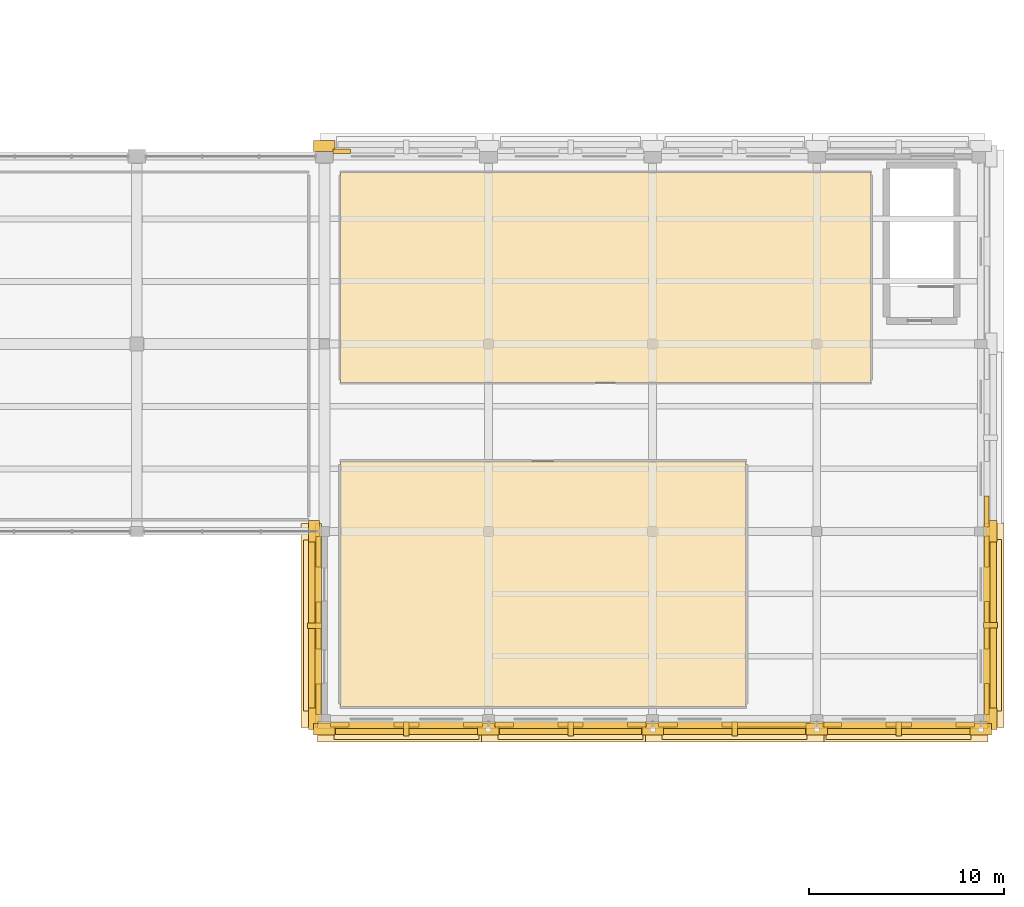
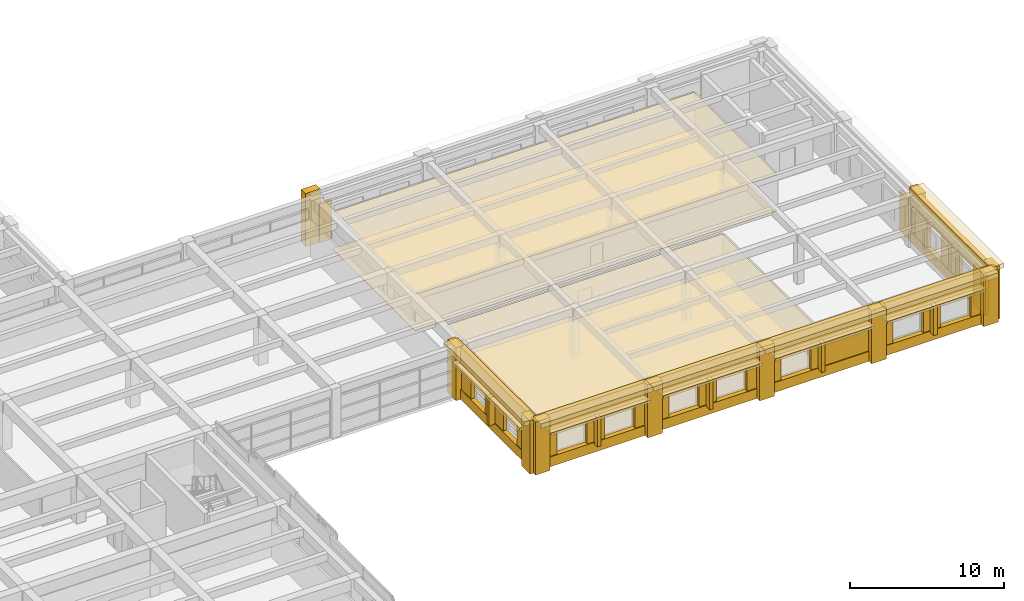
# One storey, part 61 of 62: 63 coverings, 6 shading devices.
"""IFC4 building model written with IfcOpenShell, lengths in metres."""

from ifc_helpers import new_model, si_unit, direction, frame, origin, origin_2d, place, context, subcontext, project, spatial, polyline, rectangle, outline, extrude, material, layer, layer_set, type_object, element, save


model = new_model("IFC4")

# Units and contexts
model_context = context("Model", 3, precision=1e-05, world=origin(), true_north=direction((0.0, 1.0)))
body_context = subcontext(model_context, "Body", "Model", "MODEL_VIEW")
ifc_project = project(units=[si_unit("LENGTHUNIT", "METRE"), si_unit("AREAUNIT", "SQUARE_METRE"), si_unit("VOLUMEUNIT", "CUBIC_METRE"), si_unit("PLANEANGLEUNIT", "RADIAN"), si_unit("MASSUNIT", "GRAM", prefix="KILO")], contexts=[model_context])

# Site, building, storey
site_placement = place(None, origin())
site = spatial("IfcSite", under=ifc_project, at=site_placement, CompositionType="ELEMENT")
building_placement = place(site_placement, origin())
building = spatial("IfcBuilding", under=site, at=building_placement, Name="Bempovik Park Faculty of Sciences", CompositionType="ELEMENT")
storey_placement = place(building_placement, frame((0.0, 0.0, 9.89990234375)))
storey = spatial("IfcBuildingStorey", under=building, at=storey_placement, Name="L02", CompositionType="ELEMENT", Elevation=9.89990234375)

# Coverings
ifc_material_1 = material(Name="Acoustic mineral ceiling tile")
ifc_layer_1 = layer(ifc_material_1, 0.0400390625)
ifc_layer_set_1 = layer_set([ifc_layer_1], Name="Acoustic mineral ceiling tile")
covering_type_1 = type_object("IfcCoveringType", Name="CE-01 Acoustic Ceiling 40mm", PredefinedType="CEILING", material=ifc_layer_set_1)
covering_1_placement = place(storey_placement, frame((0.0, 0.0, 2.880126953125)))
element("IfcCovering", 1, at=covering_1_placement, inside=storey, type_object=covering_type_1, Name="L02 East Wing Honours Seminar Room Acoustic Ceiling", PredefinedType="CEILING", context=body_context, shape_type="SweptSolid", body=[
    extrude(outline(polyline([(137.6298828125, 58.830078125), (158.3701171875, 58.830078125), (158.3701171875, 71.3701171875), (137.6298828125, 71.3701171875), (137.6298828125, 58.830078125)])), origin(), (0.0, 0.0, 1.0), 0.0400390625),
])
covering_2_placement = place(storey_placement, frame((0.0, 0.0, 2.880126953125)))
element("IfcCovering", 2, at=covering_2_placement, inside=storey, type_object=covering_type_1, Name="L02 Mathematics Departmental Staff Offices Acoustic Ceiling", PredefinedType="CEILING", context=body_context, shape_type="SweptSolid", body=[
    extrude(outline(polyline([(137.6298828125, 75.429931640625), (164.77001953125, 75.429931640625), (164.77001953125, 86.169921875), (137.6298828125, 86.169921875), (137.6298828125, 75.429931640625)])), origin(), (0.0, 0.0, 1.0), 0.0400390625),
])
ifc_material_2 = material(Name="Precast concrete C40/50", Category="concrete")
ifc_layer_2 = layer(ifc_material_2, 0.179931640625)
ifc_layer_set_2 = layer_set([ifc_layer_2], Name="Precast concrete C40/50")
covering_type_2 = type_object("IfcCoveringType", Name="CL-02 Classical Cornice Band 180mm", PredefinedType="CLADDING", material=ifc_layer_set_2)
covering_3_placement = place(storey_placement, frame((171.06494140625, 63.0, 3.83984375), z_axis=(0.0, 0.0, 1.0), x_axis=(1.0, 0.0, 0.0)))
element("IfcCovering", 3, at=covering_3_placement, inside=storey, type_object=covering_type_2, Name="L02 Classical Projecting Dentil Cornice EW-L02-7808", PredefinedType="CLADDING", context=body_context, shape_type="SweptSolid", body=[
    extrude(rectangle(XDim=1.050048828125, YDim=10.486083984375, at=origin_2d()), origin(), (0.0, 0.0, 1.0), 0.360107421875),
])
covering_4_placement = place(storey_placement, frame((171.0, 63.0, 2.91015625), z_axis=(0.0, 0.0, 1.0), x_axis=(1.0, 0.0, 0.0)))
element("IfcCovering", 4, at=covering_4_placement, inside=storey, type_object=covering_type_2, Name="L02 Classical Stone Solar Window Hood EW-L02-7808", PredefinedType="CLADDING", context=body_context, shape_type="SweptSolid", body=[
    extrude(rectangle(XDim=0.919921875, YDim=8.785888671875, at=origin_2d()), origin(), (0.0, 0.0, 1.0), 0.219970703125),
])
covering_5_placement = place(storey_placement, frame((141.0, 57.534912109375, 3.83984375), z_axis=(0.0, 0.0, 1.0), x_axis=(1.0, 0.0, 0.0)))
element("IfcCovering", 5, at=covering_5_placement, inside=storey, type_object=covering_type_2, Name="L02 Classical Projecting Dentil Cornice EW-L02-7842", PredefinedType="CLADDING", context=body_context, shape_type="SweptSolid", body=[
    extrude(rectangle(XDim=9.1259765625, YDim=1.050048828125, at=origin_2d()), origin(), (0.0, 0.0, 1.0), 0.360107421875),
])
covering_6_placement = place(storey_placement, frame((141.0, 57.60009765625, 2.91015625), z_axis=(0.0, 0.0, 1.0), x_axis=(1.0, 0.0, 0.0)))
element("IfcCovering", 6, at=covering_6_placement, inside=storey, type_object=covering_type_2, Name="L02 Classical Stone Solar Window Hood EW-L02-7842", PredefinedType="CLADDING", context=body_context, shape_type="SweptSolid", body=[
    extrude(rectangle(XDim=7.426025390625, YDim=0.919921875, at=origin_2d()), origin(), (0.0, 0.0, 1.0), 0.219970703125),
])
covering_7_placement = place(storey_placement, frame((149.39990234375, 57.534912109375, 3.83984375), z_axis=(0.0, 0.0, 1.0), x_axis=(1.0, 0.0, 0.0)))
element("IfcCovering", 7, at=covering_7_placement, inside=storey, type_object=covering_type_2, Name="L02 Classical Projecting Dentil Cornice EW-L02-7856", PredefinedType="CLADDING", context=body_context, shape_type="SweptSolid", body=[
    extrude(rectangle(XDim=9.1259765625, YDim=1.050048828125, at=origin_2d()), origin(), (0.0, 0.0, 1.0), 0.360107421875),
])
covering_8_placement = place(storey_placement, frame((149.39990234375, 57.60009765625, 2.91015625), z_axis=(0.0, 0.0, 1.0), x_axis=(1.0, 0.0, 0.0)))
element("IfcCovering", 8, at=covering_8_placement, inside=storey, type_object=covering_type_2, Name="L02 Classical Stone Solar Window Hood EW-L02-7856", PredefinedType="CLADDING", context=body_context, shape_type="SweptSolid", body=[
    extrude(rectangle(XDim=7.426025390625, YDim=0.919921875, at=origin_2d()), origin(), (0.0, 0.0, 1.0), 0.219970703125),
])
covering_9_placement = place(storey_placement, frame((157.800048828125, 57.534912109375, 3.83984375), z_axis=(0.0, 0.0, 1.0), x_axis=(1.0, 0.0, 0.0)))
element("IfcCovering", 9, at=covering_9_placement, inside=storey, type_object=covering_type_2, Name="L02 Classical Projecting Dentil Cornice EW-L02-7869", PredefinedType="CLADDING", context=body_context, shape_type="SweptSolid", body=[
    extrude(rectangle(XDim=9.1259765625, YDim=1.050048828125, at=origin_2d()), origin(), (0.0, 0.0, 1.0), 0.360107421875),
])
covering_10_placement = place(storey_placement, frame((157.800048828125, 57.60009765625, 2.91015625), z_axis=(0.0, 0.0, 1.0), x_axis=(1.0, 0.0, 0.0)))
element("IfcCovering", 10, at=covering_10_placement, inside=storey, type_object=covering_type_2, Name="L02 Classical Stone Solar Window Hood EW-L02-7869", PredefinedType="CLADDING", context=body_context, shape_type="SweptSolid", body=[
    extrude(rectangle(XDim=7.426025390625, YDim=0.919921875, at=origin_2d()), origin(), (0.0, 0.0, 1.0), 0.219970703125),
])
covering_11_placement = place(storey_placement, frame((166.199951171875, 57.534912109375, 3.83984375), z_axis=(0.0, 0.0, 1.0), x_axis=(1.0, 0.0, 0.0)))
element("IfcCovering", 11, at=covering_11_placement, inside=storey, type_object=covering_type_2, Name="L02 Classical Projecting Dentil Cornice EW-L02-7880", PredefinedType="CLADDING", context=body_context, shape_type="SweptSolid", body=[
    extrude(rectangle(XDim=9.1259765625, YDim=1.050048828125, at=origin_2d()), origin(), (0.0, 0.0, 1.0), 0.360107421875),
])
covering_12_placement = place(storey_placement, frame((166.199951171875, 57.60009765625, 2.91015625), z_axis=(0.0, 0.0, 1.0), x_axis=(1.0, 0.0, 0.0)))
element("IfcCovering", 12, at=covering_12_placement, inside=storey, type_object=covering_type_2, Name="L02 Classical Stone Solar Window Hood EW-L02-7880", PredefinedType="CLADDING", context=body_context, shape_type="SweptSolid", body=[
    extrude(rectangle(XDim=7.426025390625, YDim=0.919921875, at=origin_2d()), origin(), (0.0, 0.0, 1.0), 0.219970703125),
])
covering_13_placement = place(storey_placement, frame((136.135009765625, 62.985107421875, 3.83984375), z_axis=(0.0, 0.0, 1.0), x_axis=(1.0, 0.0, 0.0)))
element("IfcCovering", 13, at=covering_13_placement, inside=storey, type_object=covering_type_2, Name="L02 Classical Projecting Dentil Cornice EW-L02-7893", PredefinedType="CLADDING", context=body_context, shape_type="SweptSolid", body=[
    extrude(rectangle(XDim=1.050048828125, YDim=10.4560546875, at=origin_2d()), origin(), (0.0, 0.0, 1.0), 0.360107421875),
])
covering_14_placement = place(storey_placement, frame((136.199951171875, 62.985107421875, 2.91015625), z_axis=(0.0, 0.0, 1.0), x_axis=(1.0, 0.0, 0.0)))
element("IfcCovering", 14, at=covering_14_placement, inside=storey, type_object=covering_type_2, Name="L02 Classical Stone Solar Window Hood EW-L02-7893", PredefinedType="CLADDING", context=body_context, shape_type="SweptSolid", body=[
    extrude(rectangle(XDim=0.919921875, YDim=8.756103515625, at=origin_2d()), origin(), (0.0, 0.0, 1.0), 0.219970703125),
])
ifc_material_3 = material(Name="White reconstituted limestone precast C40/50", Category="masonry")
ifc_layer_3 = layer(ifc_material_3, 0.239990234375)
ifc_layer_set_3 = layer_set([ifc_layer_3], Name="White reconstituted limestone precast C40/50")
covering_type_3 = type_object("IfcCoveringType", Name="CL-03 Classical Fluted Limestone Pilaster 240mm", PredefinedType="CLADDING", material=ifc_layer_set_3)
covering_15_placement = place(storey_placement, frame((136.800048828125, 87.530029296875, 0.0), z_axis=(0.0, 0.0, 1.0), x_axis=(1.0, 0.0, 0.0)))
element("IfcCovering", 15, at=covering_15_placement, inside=storey, type_object=covering_type_3, Name="L02 Classical Fluted Stone Pilaster PIL-BA-L02-1368-875", PredefinedType="CLADDING", context=body_context, shape_type="SweptSolid", body=[
    extrude(rectangle(XDim=1.10009765625, YDim=0.580078125, at=origin_2d()), origin(), (0.0, 0.0, 1.0), 4.199951171875),
])
covering_16_placement = place(storey_placement, frame((137.694091796875, 87.27001953125, 0.0), z_axis=(0.0, 0.0, 1.0), x_axis=(1.0, 0.0, 0.0)))
element("IfcCovering", 16, at=covering_16_placement, inside=storey, type_object=covering_type_3, Name="L02 White Limestone Wall Cheek EW-L02-7757-0", PredefinedType="CLADDING", context=body_context, shape_type="SweptSolid", body=[
    extrude(rectangle(XDim=0.8837890625, YDim=0.239990234375, at=origin_2d()), origin(), (0.0, 0.0, 1.0), 3.080078125),
])
covering_17_placement = place(storey_placement, frame((170.7099609375, 63.0, 2.919921875), z_axis=(0.0, 0.0, 1.0), x_axis=(1.0, 0.0, 0.0)))
element("IfcCovering", 17, at=covering_17_placement, inside=storey, type_object=covering_type_3, Name="L02 Classical Limestone Spandrel Entablature EW-L02-7808", PredefinedType="CLADDING", context=body_context, shape_type="SweptSolid", body=[
    extrude(rectangle(XDim=0.340087890625, YDim=10.486083984375, at=origin_2d()), origin(), (0.0, 0.0, 1.0), 1.280029296875),
])
covering_18_placement = place(storey_placement, frame((170.7099609375, 63.0, 0.0), z_axis=(0.0, 0.0, 1.0), x_axis=(1.0, 0.0, 0.0)))
element("IfcCovering", 18, at=covering_18_placement, inside=storey, type_object=covering_type_3, Name="L02 Classical Limestone Sill Dado EW-L02-7808", PredefinedType="CLADDING", context=body_context, shape_type="SweptSolid", body=[
    extrude(rectangle(XDim=0.340087890625, YDim=10.486083984375, at=origin_2d()), origin(), (0.0, 0.0, 1.0), 0.780029296875),
])
for number, where, z_axis, x_axis, name in (
    (19, (170.929931640625, 58.199951171875, 0.0), (0.0, 0.0, 1.0), (1.0, 0.0, 0.0), "L02 Classical Fluted Stone Pilaster PIL-BA-L02-1709-582"),
    (20, (170.929931640625, 67.800048828125, 0.0), (0.0, 0.0, 1.0), (1.0, 0.0, 0.0), "L02 Classical Fluted Stone Pilaster PIL-BA-L02-1709-678"),
):
    element("IfcCovering", number, at=place(storey_placement, frame(where, z_axis=z_axis, x_axis=x_axis)), inside=storey, type_object=covering_type_3, Name=name, PredefinedType="CLADDING", context=body_context, shape_type="SweptSolid", body=[
        extrude(rectangle(XDim=0.580078125, YDim=1.10009765625, at=origin_2d()), origin(), (0.0, 0.0, 1.0), 4.199951171875),
    ])
covering_19_placement = place(storey_placement, frame((170.699951171875, 59.220458984375, 0.0), z_axis=(0.0, 0.0, 1.0), x_axis=(1.0, 0.0, 0.0)))
element("IfcCovering", 21, at=covering_19_placement, inside=storey, type_object=covering_type_3, Name="L02 White Limestone Wall Cheek EW-L02-7808-0", PredefinedType="CLADDING", context=body_context, shape_type="SweptSolid", body=[
    extrude(rectangle(XDim=0.239990234375, YDim=1.57666015625, at=origin_2d()), origin(), (0.0, 0.0, 1.0), 3.080078125),
])
covering_20_placement = place(storey_placement, frame((170.699951171875, 63.0, 0.0), z_axis=(0.0, 0.0, 1.0), x_axis=(1.0, 0.0, 0.0)))
element("IfcCovering", 22, at=covering_20_placement, inside=storey, type_object=covering_type_3, Name="L02 White Limestone Wall Cheek EW-L02-7808-2", PredefinedType="CLADDING", context=body_context, shape_type="SweptSolid", body=[
    extrude(rectangle(XDim=0.239990234375, YDim=2.422607421875, at=origin_2d()), origin(), (0.0, 0.0, 1.0), 3.080078125),
])
covering_21_placement = place(storey_placement, frame((170.699951171875, 66.77978515625, 0.0), z_axis=(0.0, 0.0, 1.0), x_axis=(1.0, 0.0, 0.0)))
element("IfcCovering", 23, at=covering_21_placement, inside=storey, type_object=covering_type_3, Name="L02 White Limestone Wall Cheek EW-L02-7808-4", PredefinedType="CLADDING", context=body_context, shape_type="SweptSolid", body=[
    extrude(rectangle(XDim=0.239990234375, YDim=1.57666015625, at=origin_2d()), origin(), (0.0, 0.0, 1.0), 3.080078125),
])
covering_22_placement = place(storey_placement, frame((170.909912109375, 63.0, 0.7001953125), z_axis=(0.0, 0.0, 1.0), x_axis=(1.0, 0.0, 0.0)))
element("IfcCovering", 24, at=covering_22_placement, inside=storey, type_object=covering_type_3, Name="L02 Classical Vertical Stone Shading Fin EW-L02-7808", PredefinedType="CLADDING", context=body_context, shape_type="SweptSolid", body=[
    extrude(rectangle(XDim=0.719970703125, YDim=0.280029296875, at=origin_2d()), origin(), (0.0, 0.0, 1.0), 2.25),
])
covering_23_placement = place(storey_placement, frame((170.699951171875, 68.8203125, 0.0), z_axis=(0.0, 0.0, 1.0), x_axis=(1.0, 0.0, 0.0)))
element("IfcCovering", 25, at=covering_23_placement, inside=storey, type_object=covering_type_3, Name="L02 White Limestone Wall Cheek EW-L02-7822-0", PredefinedType="CLADDING", context=body_context, shape_type="SweptSolid", body=[
    extrude(rectangle(XDim=0.239990234375, YDim=1.57666015625, at=origin_2d()), origin(), (0.0, 0.0, 1.0), 3.080078125),
])
covering_24_placement = place(storey_placement, frame((141.0, 57.889892578125, 2.919921875), z_axis=(0.0, 0.0, 1.0), x_axis=(1.0, 0.0, 0.0)))
element("IfcCovering", 26, at=covering_24_placement, inside=storey, type_object=covering_type_3, Name="L02 Classical Limestone Spandrel Entablature EW-L02-7842", PredefinedType="CLADDING", context=body_context, shape_type="SweptSolid", body=[
    extrude(rectangle(XDim=9.1259765625, YDim=0.340087890625, at=origin_2d()), origin(), (0.0, 0.0, 1.0), 1.280029296875),
])
covering_25_placement = place(storey_placement, frame((141.0, 57.889892578125, 0.0), z_axis=(0.0, 0.0, 1.0), x_axis=(1.0, 0.0, 0.0)))
element("IfcCovering", 27, at=covering_25_placement, inside=storey, type_object=covering_type_3, Name="L02 Classical Limestone Sill Dado EW-L02-7842", PredefinedType="CLADDING", context=body_context, shape_type="SweptSolid", body=[
    extrude(rectangle(XDim=9.1259765625, YDim=0.340087890625, at=origin_2d()), origin(), (0.0, 0.0, 1.0), 0.780029296875),
])
for number, where, z_axis, x_axis, name in (
    (28, (136.800048828125, 57.669921875, 0.0), (0.0, 0.0, 1.0), (1.0, 0.0, 0.0), "L02 Classical Fluted Stone Pilaster PIL-BA-L02-1368-577"),
    (29, (145.199951171875, 57.669921875, 0.0), (0.0, 0.0, 1.0), (1.0, 0.0, 0.0), "L02 Classical Fluted Stone Pilaster PIL-BA-L02-1452-577"),
):
    element("IfcCovering", number, at=place(storey_placement, frame(where, z_axis=z_axis, x_axis=x_axis)), inside=storey, type_object=covering_type_3, Name=name, PredefinedType="CLADDING", context=body_context, shape_type="SweptSolid", body=[
        extrude(rectangle(XDim=1.10009765625, YDim=0.580078125, at=origin_2d()), origin(), (0.0, 0.0, 1.0), 4.199951171875),
    ])
covering_26_placement = place(storey_placement, frame((137.591796875, 57.89990234375, 0.0), z_axis=(0.0, 0.0, 1.0), x_axis=(1.0, 0.0, 0.0)))
element("IfcCovering", 30, at=covering_26_placement, inside=storey, type_object=covering_type_3, Name="L02 White Limestone Wall Cheek EW-L02-7842-0", PredefinedType="CLADDING", context=body_context, shape_type="SweptSolid", body=[
    extrude(rectangle(XDim=0.95947265625, YDim=0.239990234375, at=origin_2d()), origin(), (0.0, 0.0, 1.0), 3.080078125),
])
covering_27_placement = place(storey_placement, frame((141.0, 57.89990234375, 0.0), z_axis=(0.0, 0.0, 1.0), x_axis=(1.0, 0.0, 0.0)))
element("IfcCovering", 31, at=covering_27_placement, inside=storey, type_object=covering_type_3, Name="L02 White Limestone Wall Cheek EW-L02-7842-2", PredefinedType="CLADDING", context=body_context, shape_type="SweptSolid", body=[
    extrude(rectangle(XDim=1.297119140625, YDim=0.239990234375, at=origin_2d()), origin(), (0.0, 0.0, 1.0), 3.080078125),
])
covering_28_placement = place(storey_placement, frame((144.408203125, 57.89990234375, 0.0), z_axis=(0.0, 0.0, 1.0), x_axis=(1.0, 0.0, 0.0)))
element("IfcCovering", 32, at=covering_28_placement, inside=storey, type_object=covering_type_3, Name="L02 White Limestone Wall Cheek EW-L02-7842-4", PredefinedType="CLADDING", context=body_context, shape_type="SweptSolid", body=[
    extrude(rectangle(XDim=0.95947265625, YDim=0.239990234375, at=origin_2d()), origin(), (0.0, 0.0, 1.0), 3.080078125),
])
covering_29_placement = place(storey_placement, frame((141.0, 57.68994140625, 0.64990234375), z_axis=(0.0, 0.0, 1.0), x_axis=(1.0, 0.0, 0.0)))
element("IfcCovering", 33, at=covering_29_placement, inside=storey, type_object=covering_type_3, Name="L02 Classical Vertical Stone Shading Fin EW-L02-7842", PredefinedType="CLADDING", context=body_context, shape_type="SweptSolid", body=[
    extrude(rectangle(XDim=0.280029296875, YDim=0.719970703125, at=origin_2d()), origin(), (0.0, 0.0, 1.0), 2.300048828125),
])
covering_30_placement = place(storey_placement, frame((149.39990234375, 57.889892578125, 2.919921875), z_axis=(0.0, 0.0, 1.0), x_axis=(1.0, 0.0, 0.0)))
element("IfcCovering", 34, at=covering_30_placement, inside=storey, type_object=covering_type_3, Name="L02 Classical Limestone Spandrel Entablature EW-L02-7856", PredefinedType="CLADDING", context=body_context, shape_type="SweptSolid", body=[
    extrude(rectangle(XDim=9.1259765625, YDim=0.340087890625, at=origin_2d()), origin(), (0.0, 0.0, 1.0), 1.280029296875),
])
covering_31_placement = place(storey_placement, frame((149.39990234375, 57.889892578125, 0.0), z_axis=(0.0, 0.0, 1.0), x_axis=(1.0, 0.0, 0.0)))
element("IfcCovering", 35, at=covering_31_placement, inside=storey, type_object=covering_type_3, Name="L02 Classical Limestone Sill Dado EW-L02-7856", PredefinedType="CLADDING", context=body_context, shape_type="SweptSolid", body=[
    extrude(rectangle(XDim=9.1259765625, YDim=0.340087890625, at=origin_2d()), origin(), (0.0, 0.0, 1.0), 0.780029296875),
])
covering_32_placement = place(storey_placement, frame((153.60009765625, 57.669921875, 0.0), z_axis=(0.0, 0.0, 1.0), x_axis=(1.0, 0.0, 0.0)))
element("IfcCovering", 36, at=covering_32_placement, inside=storey, type_object=covering_type_3, Name="L02 Classical Fluted Stone Pilaster PIL-BA-L02-1536-577", PredefinedType="CLADDING", context=body_context, shape_type="SweptSolid", body=[
    extrude(rectangle(XDim=1.10009765625, YDim=0.580078125, at=origin_2d()), origin(), (0.0, 0.0, 1.0), 4.199951171875),
])
covering_33_placement = place(storey_placement, frame((145.99169921875, 57.89990234375, 0.0), z_axis=(0.0, 0.0, 1.0), x_axis=(1.0, 0.0, 0.0)))
element("IfcCovering", 37, at=covering_33_placement, inside=storey, type_object=covering_type_3, Name="L02 White Limestone Wall Cheek EW-L02-7856-0", PredefinedType="CLADDING", context=body_context, shape_type="SweptSolid", body=[
    extrude(rectangle(XDim=0.95947265625, YDim=0.239990234375, at=origin_2d()), origin(), (0.0, 0.0, 1.0), 3.080078125),
])
covering_34_placement = place(storey_placement, frame((149.39990234375, 57.89990234375, 0.0), z_axis=(0.0, 0.0, 1.0), x_axis=(1.0, 0.0, 0.0)))
element("IfcCovering", 38, at=covering_34_placement, inside=storey, type_object=covering_type_3, Name="L02 White Limestone Wall Cheek EW-L02-7856-2", PredefinedType="CLADDING", context=body_context, shape_type="SweptSolid", body=[
    extrude(rectangle(XDim=1.297119140625, YDim=0.239990234375, at=origin_2d()), origin(), (0.0, 0.0, 1.0), 3.080078125),
])
covering_35_placement = place(storey_placement, frame((152.80810546875, 57.89990234375, 0.0), z_axis=(0.0, 0.0, 1.0), x_axis=(1.0, 0.0, 0.0)))
element("IfcCovering", 39, at=covering_35_placement, inside=storey, type_object=covering_type_3, Name="L02 White Limestone Wall Cheek EW-L02-7856-4", PredefinedType="CLADDING", context=body_context, shape_type="SweptSolid", body=[
    extrude(rectangle(XDim=0.95947265625, YDim=0.239990234375, at=origin_2d()), origin(), (0.0, 0.0, 1.0), 3.080078125),
])
covering_36_placement = place(storey_placement, frame((149.39990234375, 57.68994140625, 0.64990234375), z_axis=(0.0, 0.0, 1.0), x_axis=(1.0, 0.0, 0.0)))
element("IfcCovering", 40, at=covering_36_placement, inside=storey, type_object=covering_type_3, Name="L02 Classical Vertical Stone Shading Fin EW-L02-7856", PredefinedType="CLADDING", context=body_context, shape_type="SweptSolid", body=[
    extrude(rectangle(XDim=0.280029296875, YDim=0.719970703125, at=origin_2d()), origin(), (0.0, 0.0, 1.0), 2.300048828125),
])
covering_37_placement = place(storey_placement, frame((157.800048828125, 57.889892578125, 2.919921875), z_axis=(0.0, 0.0, 1.0), x_axis=(1.0, 0.0, 0.0)))
element("IfcCovering", 41, at=covering_37_placement, inside=storey, type_object=covering_type_3, Name="L02 Classical Limestone Spandrel Entablature EW-L02-7869", PredefinedType="CLADDING", context=body_context, shape_type="SweptSolid", body=[
    extrude(rectangle(XDim=9.1259765625, YDim=0.340087890625, at=origin_2d()), origin(), (0.0, 0.0, 1.0), 1.280029296875),
])
covering_38_placement = place(storey_placement, frame((157.800048828125, 57.889892578125, 0.0), z_axis=(0.0, 0.0, 1.0), x_axis=(1.0, 0.0, 0.0)))
element("IfcCovering", 42, at=covering_38_placement, inside=storey, type_object=covering_type_3, Name="L02 Classical Limestone Sill Dado EW-L02-7869", PredefinedType="CLADDING", context=body_context, shape_type="SweptSolid", body=[
    extrude(rectangle(XDim=9.1259765625, YDim=0.340087890625, at=origin_2d()), origin(), (0.0, 0.0, 1.0), 0.780029296875),
])
covering_39_placement = place(storey_placement, frame((162.0, 57.669921875, 0.0), z_axis=(0.0, 0.0, 1.0), x_axis=(1.0, 0.0, 0.0)))
element("IfcCovering", 43, at=covering_39_placement, inside=storey, type_object=covering_type_3, Name="L02 Classical Fluted Stone Pilaster PIL-BA-L02-1620-577", PredefinedType="CLADDING", context=body_context, shape_type="SweptSolid", body=[
    extrude(rectangle(XDim=1.10009765625, YDim=0.580078125, at=origin_2d()), origin(), (0.0, 0.0, 1.0), 4.199951171875),
])
covering_40_placement = place(storey_placement, frame((154.391845703125, 57.89990234375, 0.0), z_axis=(0.0, 0.0, 1.0), x_axis=(1.0, 0.0, 0.0)))
element("IfcCovering", 44, at=covering_40_placement, inside=storey, type_object=covering_type_3, Name="L02 White Limestone Wall Cheek EW-L02-7869-0", PredefinedType="CLADDING", context=body_context, shape_type="SweptSolid", body=[
    extrude(rectangle(XDim=0.95947265625, YDim=0.239990234375, at=origin_2d()), origin(), (0.0, 0.0, 1.0), 3.080078125),
])
covering_41_placement = place(storey_placement, frame((159.419677734375, 57.89990234375, 0.0), z_axis=(0.0, 0.0, 1.0), x_axis=(1.0, 0.0, 0.0)))
element("IfcCovering", 45, at=covering_41_placement, inside=storey, type_object=covering_type_3, Name="L02 White Limestone Wall Cheek EW-L02-7869-2", PredefinedType="CLADDING", context=body_context, shape_type="SweptSolid", body=[
    extrude(rectangle(XDim=4.53662109375, YDim=0.239990234375, at=origin_2d()), origin(), (0.0, 0.0, 1.0), 3.080078125),
])
covering_42_placement = place(storey_placement, frame((157.800048828125, 57.68994140625, 0.64990234375), z_axis=(0.0, 0.0, 1.0), x_axis=(1.0, 0.0, 0.0)))
element("IfcCovering", 46, at=covering_42_placement, inside=storey, type_object=covering_type_3, Name="L02 Classical Vertical Stone Shading Fin EW-L02-7869", PredefinedType="CLADDING", context=body_context, shape_type="SweptSolid", body=[
    extrude(rectangle(XDim=0.280029296875, YDim=0.719970703125, at=origin_2d()), origin(), (0.0, 0.0, 1.0), 2.300048828125),
])
covering_43_placement = place(storey_placement, frame((166.199951171875, 57.889892578125, 2.919921875), z_axis=(0.0, 0.0, 1.0), x_axis=(1.0, 0.0, 0.0)))
element("IfcCovering", 47, at=covering_43_placement, inside=storey, type_object=covering_type_3, Name="L02 Classical Limestone Spandrel Entablature EW-L02-7880", PredefinedType="CLADDING", context=body_context, shape_type="SweptSolid", body=[
    extrude(rectangle(XDim=9.1259765625, YDim=0.340087890625, at=origin_2d()), origin(), (0.0, 0.0, 1.0), 1.280029296875),
])
covering_44_placement = place(storey_placement, frame((166.199951171875, 57.889892578125, 0.0), z_axis=(0.0, 0.0, 1.0), x_axis=(1.0, 0.0, 0.0)))
element("IfcCovering", 48, at=covering_44_placement, inside=storey, type_object=covering_type_3, Name="L02 Classical Limestone Sill Dado EW-L02-7880", PredefinedType="CLADDING", context=body_context, shape_type="SweptSolid", body=[
    extrude(rectangle(XDim=9.1259765625, YDim=0.340087890625, at=origin_2d()), origin(), (0.0, 0.0, 1.0), 0.780029296875),
])
covering_45_placement = place(storey_placement, frame((170.39990234375, 57.669921875, 0.0), z_axis=(0.0, 0.0, 1.0), x_axis=(1.0, 0.0, 0.0)))
element("IfcCovering", 49, at=covering_45_placement, inside=storey, type_object=covering_type_3, Name="L02 Classical Fluted Stone Pilaster PIL-BA-L02-1704-577", PredefinedType="CLADDING", context=body_context, shape_type="SweptSolid", body=[
    extrude(rectangle(XDim=1.10009765625, YDim=0.580078125, at=origin_2d()), origin(), (0.0, 0.0, 1.0), 4.199951171875),
])
covering_46_placement = place(storey_placement, frame((162.791748046875, 57.89990234375, 0.0), z_axis=(0.0, 0.0, 1.0), x_axis=(1.0, 0.0, 0.0)))
element("IfcCovering", 50, at=covering_46_placement, inside=storey, type_object=covering_type_3, Name="L02 White Limestone Wall Cheek EW-L02-7880-0", PredefinedType="CLADDING", context=body_context, shape_type="SweptSolid", body=[
    extrude(rectangle(XDim=0.95947265625, YDim=0.239990234375, at=origin_2d()), origin(), (0.0, 0.0, 1.0), 3.080078125),
])
covering_47_placement = place(storey_placement, frame((166.199951171875, 57.89990234375, 0.0), z_axis=(0.0, 0.0, 1.0), x_axis=(1.0, 0.0, 0.0)))
element("IfcCovering", 51, at=covering_47_placement, inside=storey, type_object=covering_type_3, Name="L02 White Limestone Wall Cheek EW-L02-7880-2", PredefinedType="CLADDING", context=body_context, shape_type="SweptSolid", body=[
    extrude(rectangle(XDim=1.297119140625, YDim=0.239990234375, at=origin_2d()), origin(), (0.0, 0.0, 1.0), 3.080078125),
])
covering_48_placement = place(storey_placement, frame((169.608154296875, 57.89990234375, 0.0), z_axis=(0.0, 0.0, 1.0), x_axis=(1.0, 0.0, 0.0)))
element("IfcCovering", 52, at=covering_48_placement, inside=storey, type_object=covering_type_3, Name="L02 White Limestone Wall Cheek EW-L02-7880-4", PredefinedType="CLADDING", context=body_context, shape_type="SweptSolid", body=[
    extrude(rectangle(XDim=0.95947265625, YDim=0.239990234375, at=origin_2d()), origin(), (0.0, 0.0, 1.0), 3.080078125),
])
covering_49_placement = place(storey_placement, frame((166.199951171875, 57.68994140625, 0.64990234375), z_axis=(0.0, 0.0, 1.0), x_axis=(1.0, 0.0, 0.0)))
element("IfcCovering", 53, at=covering_49_placement, inside=storey, type_object=covering_type_3, Name="L02 Classical Vertical Stone Shading Fin EW-L02-7880", PredefinedType="CLADDING", context=body_context, shape_type="SweptSolid", body=[
    extrude(rectangle(XDim=0.280029296875, YDim=0.719970703125, at=origin_2d()), origin(), (0.0, 0.0, 1.0), 2.300048828125),
])
covering_50_placement = place(storey_placement, frame((136.489990234375, 62.985107421875, 2.919921875), z_axis=(0.0, 0.0, 1.0), x_axis=(1.0, 0.0, 0.0)))
element("IfcCovering", 54, at=covering_50_placement, inside=storey, type_object=covering_type_3, Name="L02 Classical Limestone Spandrel Entablature EW-L02-7893", PredefinedType="CLADDING", context=body_context, shape_type="SweptSolid", body=[
    extrude(rectangle(XDim=0.340087890625, YDim=10.4560546875, at=origin_2d()), origin(), (0.0, 0.0, 1.0), 1.280029296875),
])
covering_51_placement = place(storey_placement, frame((136.489990234375, 62.985107421875, 0.0), z_axis=(0.0, 0.0, 1.0), x_axis=(1.0, 0.0, 0.0)))
element("IfcCovering", 55, at=covering_51_placement, inside=storey, type_object=covering_type_3, Name="L02 Classical Limestone Sill Dado EW-L02-7893", PredefinedType="CLADDING", context=body_context, shape_type="SweptSolid", body=[
    extrude(rectangle(XDim=0.340087890625, YDim=10.4560546875, at=origin_2d()), origin(), (0.0, 0.0, 1.0), 0.780029296875),
])
for number, where, z_axis, x_axis, name in (
    (56, (136.27001953125, 58.199951171875, 0.0), (0.0, 0.0, 1.0), (1.0, 0.0, 0.0), "L02 Classical Fluted Stone Pilaster PIL-BA-L02-1363-582"),
    (57, (136.27001953125, 67.800048828125, 0.0), (0.0, 0.0, 1.0), (1.0, 0.0, 0.0), "L02 Classical Fluted Stone Pilaster PIL-BA-L02-1363-678"),
):
    element("IfcCovering", number, at=place(storey_placement, frame(where, z_axis=z_axis, x_axis=x_axis)), inside=storey, type_object=covering_type_3, Name=name, PredefinedType="CLADDING", context=body_context, shape_type="SweptSolid", body=[
        extrude(rectangle(XDim=0.580078125, YDim=1.10009765625, at=origin_2d()), origin(), (0.0, 0.0, 1.0), 4.199951171875),
    ])
covering_52_placement = place(storey_placement, frame((136.5, 59.21630859375, 0.0), z_axis=(0.0, 0.0, 1.0), x_axis=(1.0, 0.0, 0.0)))
element("IfcCovering", 58, at=covering_52_placement, inside=storey, type_object=covering_type_3, Name="L02 White Limestone Wall Cheek EW-L02-7893-0", PredefinedType="CLADDING", context=body_context, shape_type="SweptSolid", body=[
    extrude(rectangle(XDim=0.239990234375, YDim=1.568603515625, at=origin_2d()), origin(), (0.0, 0.0, 1.0), 3.080078125),
])
covering_53_placement = place(storey_placement, frame((136.5, 62.985107421875, 0.0), z_axis=(0.0, 0.0, 1.0), x_axis=(1.0, 0.0, 0.0)))
element("IfcCovering", 59, at=covering_53_placement, inside=storey, type_object=covering_type_3, Name="L02 White Limestone Wall Cheek EW-L02-7893-2", PredefinedType="CLADDING", context=body_context, shape_type="SweptSolid", body=[
    extrude(rectangle(XDim=0.239990234375, YDim=2.40869140625, at=origin_2d()), origin(), (0.0, 0.0, 1.0), 3.080078125),
])
covering_54_placement = place(storey_placement, frame((136.5, 66.753662109375, 0.0), z_axis=(0.0, 0.0, 1.0), x_axis=(1.0, 0.0, 0.0)))
element("IfcCovering", 60, at=covering_54_placement, inside=storey, type_object=covering_type_3, Name="L02 White Limestone Wall Cheek EW-L02-7893-4", PredefinedType="CLADDING", context=body_context, shape_type="SweptSolid", body=[
    extrude(rectangle(XDim=0.239990234375, YDim=1.568603515625, at=origin_2d()), origin(), (0.0, 0.0, 1.0), 3.080078125),
])
covering_55_placement = place(storey_placement, frame((136.2900390625, 62.985107421875, 0.7001953125), z_axis=(0.0, 0.0, 1.0), x_axis=(1.0, 0.0, 0.0)))
element("IfcCovering", 61, at=covering_55_placement, inside=storey, type_object=covering_type_3, Name="L02 Classical Vertical Stone Shading Fin EW-L02-7893", PredefinedType="CLADDING", context=body_context, shape_type="SweptSolid", body=[
    extrude(rectangle(XDim=0.719970703125, YDim=0.280029296875, at=origin_2d()), origin(), (0.0, 0.0, 1.0), 2.25),
])
ifc_material_4 = material(Name="Polished mineral terrazzo flooring")
ifc_layer_4 = layer(ifc_material_4, 0.030029296875)
ifc_layer_set_4 = layer_set([ifc_layer_4], Name="Polished mineral terrazzo flooring")
covering_type_4 = type_object("IfcCoveringType", Name="FL-01 Terrazzo Flooring 30mm", PredefinedType="FLOORING", material=ifc_layer_set_4)
covering_56_placement = place(storey_placement, origin())
element("IfcCovering", 62, at=covering_56_placement, inside=storey, type_object=covering_type_4, Name="L02 East Wing Honours Seminar Room Terrazzo Flooring", PredefinedType="FLOORING", context=body_context, shape_type="SweptSolid", body=[
    extrude(outline(polyline([(137.6298828125, 58.830078125), (158.3701171875, 58.830078125), (158.3701171875, 71.3701171875), (137.6298828125, 71.3701171875), (137.6298828125, 58.830078125)])), origin(), (0.0, 0.0, 1.0), 0.030029296875),
])
covering_57_placement = place(storey_placement, origin())
element("IfcCovering", 63, at=covering_57_placement, inside=storey, type_object=covering_type_4, Name="L02 Mathematics Departmental Staff Offices Terrazzo Flooring", PredefinedType="FLOORING", context=body_context, shape_type="SweptSolid", body=[
    extrude(outline(polyline([(137.6298828125, 75.429931640625), (164.77001953125, 75.429931640625), (164.77001953125, 86.169921875), (137.6298828125, 86.169921875), (137.6298828125, 75.429931640625)])), origin(), (0.0, 0.0, 1.0), 0.030029296875),
])

# Shading devices
ifc_material_5 = material(Name="Anodised architectural bronze")
ifc_layer_5 = layer(ifc_material_5, 0.06005859375)
ifc_layer_set_5 = layer_set([ifc_layer_5], Name="Anodised architectural bronze")
shading_device_type = type_object("IfcShadingDeviceType", Name="SH-01 Bronze Brise-Soleil Fin", PredefinedType="USERDEFINED", material=ifc_layer_set_5)
shading_device_1_placement = place(storey_placement, frame((170.8798828125, 63.0, 2.85009765625), z_axis=(0.0, 0.0, 1.0), x_axis=(1.0, 0.0, 0.0)))
element("IfcShadingDevice", 64, at=shading_device_1_placement, inside=storey, type_object=shading_device_type, Name="L02 Equatorial Bronze Brise-Soleil EW-L02-7808", ObjectType="BRISE SOLEIL", PredefinedType="USERDEFINED", context=body_context, shape_type="SweptSolid", body=[
    extrude(rectangle(XDim=0.64990234375, YDim=8.635986328125, at=origin_2d()), origin(), (0.0, 0.0, 1.0), 0.06005859375),
])
for number, where, z_axis, x_axis, name in (
    (65, (141.0, 57.719970703125, 2.85009765625), (0.0, 0.0, 1.0), (1.0, 0.0, 0.0), "L02 Equatorial Bronze Brise-Soleil EW-L02-7842"),
    (66, (149.39990234375, 57.719970703125, 2.85009765625), (0.0, 0.0, 1.0), (1.0, 0.0, 0.0), "L02 Equatorial Bronze Brise-Soleil EW-L02-7856"),
    (67, (157.800048828125, 57.719970703125, 2.85009765625), (0.0, 0.0, 1.0), (1.0, 0.0, 0.0), "L02 Equatorial Bronze Brise-Soleil EW-L02-7869"),
    (68, (166.199951171875, 57.719970703125, 2.85009765625), (0.0, 0.0, 1.0), (1.0, 0.0, 0.0), "L02 Equatorial Bronze Brise-Soleil EW-L02-7880"),
):
    element("IfcShadingDevice", number, at=place(storey_placement, frame(where, z_axis=z_axis, x_axis=x_axis)), inside=storey, type_object=shading_device_type, Name=name, ObjectType="BRISE SOLEIL", PredefinedType="USERDEFINED", context=body_context, shape_type="SweptSolid", body=[
        extrude(rectangle(XDim=7.27587890625, YDim=0.64990234375, at=origin_2d()), origin(), (0.0, 0.0, 1.0), 0.06005859375),
    ])
shading_device_2_placement = place(storey_placement, frame((136.320068359375, 62.985107421875, 2.85009765625), z_axis=(0.0, 0.0, 1.0), x_axis=(1.0, 0.0, 0.0)))
element("IfcShadingDevice", 69, at=shading_device_2_placement, inside=storey, type_object=shading_device_type, Name="L02 Equatorial Bronze Brise-Soleil EW-L02-7893", ObjectType="BRISE SOLEIL", PredefinedType="USERDEFINED", context=body_context, shape_type="SweptSolid", body=[
    extrude(rectangle(XDim=0.64990234375, YDim=8.60595703125, at=origin_2d()), origin(), (0.0, 0.0, 1.0), 0.06005859375),
])

save(model, "model.ifc")
